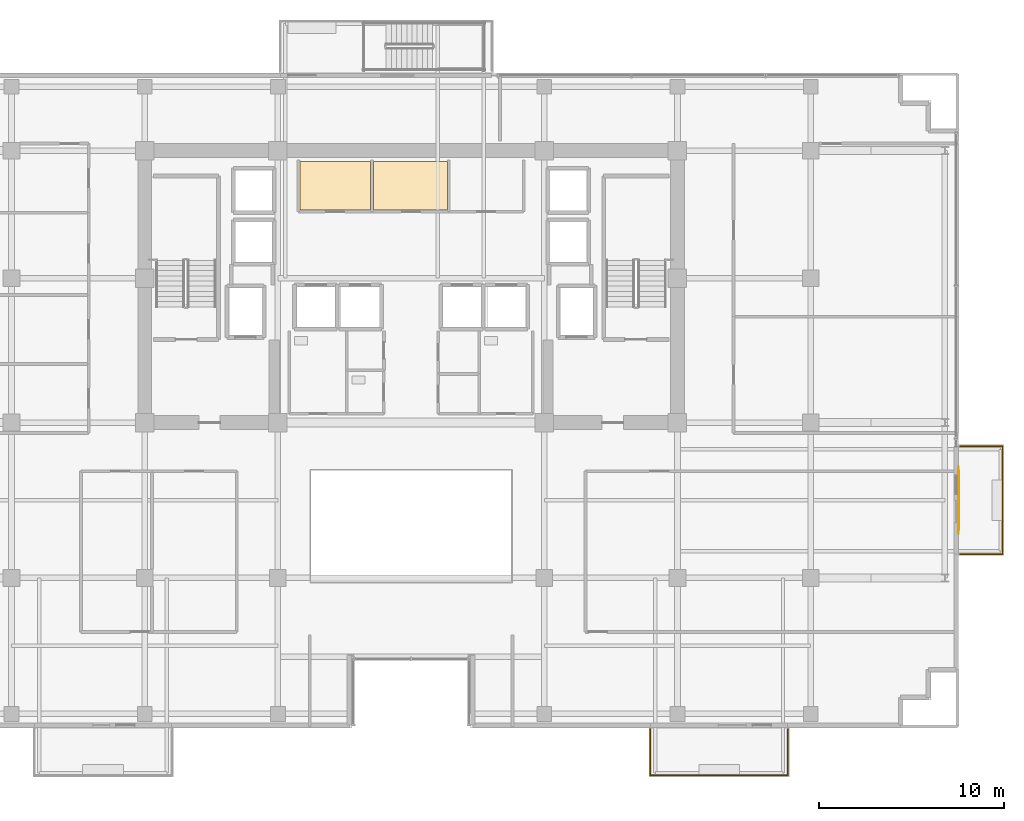
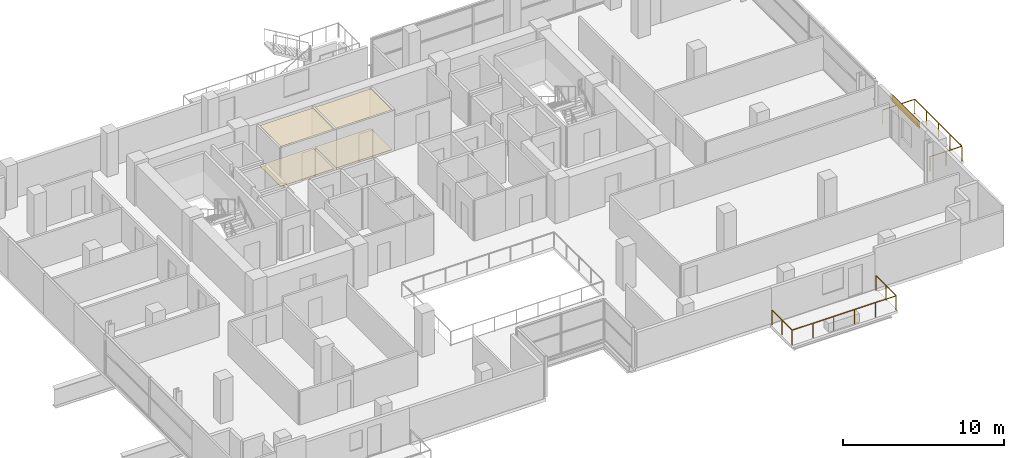
# One storey, part 24 of 27: 5 coverings, 2 railings, 1 shading device.
"""IFC4 building model written with IfcOpenShell, lengths in metres."""

from ifc_helpers import new_model, si_unit, direction, frame, origin, origin_2d, place, context, subcontext, project, spatial, polyline, rectangle, outline, extrude, source, transform, mapped, material, layer, layer_set, type_object, element, save


model = new_model("IFC4")

# Units and contexts
model_context = context("Model", 3, precision=1e-05, world=origin(), true_north=direction((0.0, 1.0)))
body_context = subcontext(model_context, "Body", "Model", "MODEL_VIEW")
ifc_project = project(units=[si_unit("LENGTHUNIT", "METRE"), si_unit("AREAUNIT", "SQUARE_METRE"), si_unit("VOLUMEUNIT", "CUBIC_METRE"), si_unit("PLANEANGLEUNIT", "RADIAN"), si_unit("MASSUNIT", "GRAM", prefix="KILO")], contexts=[model_context])

# Site, building, storey
site_placement = place(None, origin())
site = spatial("IfcSite", under=ifc_project, at=site_placement, CompositionType="ELEMENT")
building_placement = place(site_placement, origin())
building = spatial("IfcBuilding", under=site, at=building_placement, Name="Zarnakvel Exchange Tower", CompositionType="ELEMENT")
storey_placement = place(building_placement, frame((0.0, 0.0, 113.199951171875)))
storey = spatial("IfcBuildingStorey", under=building, at=storey_placement, Name="L31", CompositionType="ELEMENT", Elevation=113.199951171875)

# Coverings
ifc_material_1 = material(Name="Perforated Bronze Acoustic Metal Ceiling", Category="aluminium")
ifc_layer_1 = layer(ifc_material_1, 0.02001953125)
ifc_layer_set_1 = layer_set([ifc_layer_1], Name="Perforated Bronze Acoustic Metal Ceiling")
covering_type_1 = type_object("IfcCoveringType", Name="CLG-01", PredefinedType="CEILING", material=ifc_layer_set_1)
covering_1_placement = place(storey_placement, frame((0.0, 0.0, 3.01513671875)))
element("IfcCovering", 1, at=covering_1_placement, inside=storey, type_object=covering_type_1, Name="L31 Suspended Acoustic Ceiling (Clearing Records Office)", PredefinedType="CEILING", context=body_context, shape_type="SweptSolid", body=[
    extrude(outline(polyline([(-6.0, 12.919921875), (-2.199951171875, 12.919921875), (-2.199951171875, 10.280029296875), (-6.0, 10.280029296875), (-6.0, 12.919921875)])), origin(), (0.0, 0.0, 1.0), 0.02001953125),
])
covering_2_placement = place(storey_placement, frame((0.0, 0.0, 3.01513671875)))
element("IfcCovering", 2, at=covering_2_placement, inside=storey, type_object=covering_type_1, Name="L31 Suspended Acoustic Ceiling (Brokerage Filing Room)", PredefinedType="CEILING", context=body_context, shape_type="SweptSolid", body=[
    extrude(outline(polyline([(-2.0400390625, 12.919921875), (1.9599609375, 12.919921875), (1.9599609375, 10.280029296875), (-2.0400390625, 10.280029296875), (-2.0400390625, 12.919921875)])), origin(), (0.0, 0.0, 1.0), 0.02001953125),
])
ifc_material_2 = material(Name="Heavy-Duty Raised Access Floor Panel", Category="steel")
ifc_layer_2 = layer(ifc_material_2, 0.034912109375)
ifc_layer_set_2 = layer_set([ifc_layer_2], Name="Heavy-Duty Raised Access Floor Panel")
covering_type_2 = type_object("IfcCoveringType", Name="FLR-02", PredefinedType="FLOORING", material=ifc_layer_set_2)
covering_3_placement = place(storey_placement, origin())
element("IfcCovering", 3, at=covering_3_placement, inside=storey, type_object=covering_type_2, Name="L31 Floor Finish (Clearing Records Office)", PredefinedType="FLOORING", context=body_context, shape_type="SweptSolid", body=[
    extrude(outline(polyline([(-6.0, 12.919921875), (-2.199951171875, 12.919921875), (-2.199951171875, 10.280029296875), (-6.0, 10.280029296875), (-6.0, 12.919921875)])), origin(), (0.0, 0.0, 1.0), 0.03515625),
])
covering_4_placement = place(storey_placement, origin())
element("IfcCovering", 4, at=covering_4_placement, inside=storey, type_object=covering_type_2, Name="L31 Floor Finish (Brokerage Filing Room)", PredefinedType="FLOORING", context=body_context, shape_type="SweptSolid", body=[
    extrude(outline(polyline([(-2.0400390625, 12.919921875), (1.9599609375, 12.919921875), (1.9599609375, 10.280029296875), (-2.0400390625, 10.280029296875), (-2.0400390625, 12.919921875)])), origin(), (0.0, 0.0, 1.0), 0.03515625),
])

# Railings
ifc_material_3 = material(Name="Architectural Bronze Anodised Aluminium", Category="aluminium")
railing_type = type_object("IfcRailingType", Name="GR-02", PredefinedType="GUARDRAIL", material=ifc_material_3)
railing_1_placement = place(storey_placement, frame((12.929931640625, -17.780029296875, -0.034912109375)))
element("IfcRailing", 5, at=railing_1_placement, inside=storey, type_object=railing_type, Name="L31 Balcony Guardrail BAL-L31-SE", PredefinedType="GUARDRAIL", context=body_context, shape_type="SweptSolid", body=[
    extrude(rectangle(XDim=0.048095703125, YDim=0.048095703125, at=origin_2d()), frame((0.0, 0.0, 1.09619140625), z_axis=(0.0, -1.0, 0.0), x_axis=(1.0, 0.0, 0.0)), (0.0, 0.0, 1.0), 2.489990234375),
    extrude(rectangle(XDim=0.048095703125, YDim=0.048095703125, at=origin_2d()), frame((0.0, -2.489990234375, 1.09619140625), z_axis=(1.0, 0.0, 0.0), x_axis=(0.0, 1.0, 0.0)), (0.0, 0.0, 1.0), 7.440185546875),
    extrude(rectangle(XDim=0.048095703125, YDim=0.048095703125, at=origin_2d()), frame((7.440185546875, -2.489990234375, 1.09619140625), z_axis=(0.0, 1.0, 0.0), x_axis=(-1.0, 0.0, 0.0)), (0.0, 0.0, 1.0), 2.489990234375),
    extrude(rectangle(XDim=0.0419921875, YDim=0.0419921875, at=origin_2d()), origin(), (0.0, 0.0, 1.0), 1.072021484375),
    extrude(rectangle(XDim=0.0419921875, YDim=0.0419921875, at=origin_2d()), frame((0.0, -1.2451171875, 0.0)), (0.0, 0.0, 1.0), 1.072021484375),
    extrude(rectangle(XDim=0.0419921875, YDim=0.0419921875, at=origin_2d()), frame((0.0, -2.489990234375, 0.0)), (0.0, 0.0, 1.0), 1.072021484375),
    extrude(rectangle(XDim=0.0419921875, YDim=0.0419921875, at=origin_2d()), frame((1.488037109375, -2.489990234375, 0.0)), (0.0, 0.0, 1.0), 1.072021484375),
    extrude(rectangle(XDim=0.0419921875, YDim=0.0419921875, at=origin_2d()), frame((2.97607421875, -2.489990234375, 0.0)), (0.0, 0.0, 1.0), 1.072021484375),
    extrude(rectangle(XDim=0.0419921875, YDim=0.0419921875, at=origin_2d()), frame((4.464111328125, -2.489990234375, 0.0)), (0.0, 0.0, 1.0), 1.072021484375),
    extrude(rectangle(XDim=0.0419921875, YDim=0.0419921875, at=origin_2d()), frame((5.9521484375, -2.489990234375, 0.0)), (0.0, 0.0, 1.0), 1.072021484375),
    extrude(rectangle(XDim=0.0419921875, YDim=0.0419921875, at=origin_2d()), frame((7.440185546875, -2.489990234375, 0.0)), (0.0, 0.0, 1.0), 1.072021484375),
    extrude(rectangle(XDim=0.0419921875, YDim=0.0419921875, at=origin_2d()), frame((7.440185546875, -1.2451171875, 0.0)), (0.0, 0.0, 1.0), 1.072021484375),
    extrude(rectangle(XDim=0.0419921875, YDim=0.0419921875, at=origin_2d()), frame((7.440185546875, 0.0, 0.0)), (0.0, 0.0, 1.0), 1.072021484375),
])
railing_2_placement = place(storey_placement, frame((29.679931640625, -8.320068359375, -0.034912109375)))
element("IfcRailing", 6, at=railing_2_placement, inside=storey, type_object=railing_type, Name="L31 Balcony Guardrail BAL-L31-E", PredefinedType="GUARDRAIL", context=body_context, shape_type="SweptSolid", body=[
    extrude(rectangle(XDim=0.048095703125, YDim=0.048095703125, at=origin_2d()), frame((0.0, 0.0, 1.09619140625), z_axis=(1.0, 0.0, 0.0), x_axis=(0.0, 1.0, 0.0)), (0.0, 0.0, 1.0), 2.2900390625),
    extrude(rectangle(XDim=0.048095703125, YDim=0.048095703125, at=origin_2d()), frame((2.2900390625, 0.0, 1.09619140625), z_axis=(0.0, 1.0, 0.0), x_axis=(-1.0, 0.0, 0.0)), (0.0, 0.0, 1.0), 5.840087890625),
    extrude(rectangle(XDim=0.048095703125, YDim=0.048095703125, at=origin_2d()), frame((2.2900390625, 5.840087890625, 1.09619140625), z_axis=(-1.0, 0.0, 0.0), x_axis=(0.0, -1.0, 0.0)), (0.0, 0.0, 1.0), 2.2900390625),
    extrude(rectangle(XDim=0.0419921875, YDim=0.0419921875, at=origin_2d()), origin(), (0.0, 0.0, 1.0), 1.072021484375),
    extrude(rectangle(XDim=0.0419921875, YDim=0.0419921875, at=origin_2d()), frame((1.14501953125, 0.0, 0.0)), (0.0, 0.0, 1.0), 1.072021484375),
    extrude(rectangle(XDim=0.0419921875, YDim=0.0419921875, at=origin_2d()), frame((2.2900390625, 0.0, 0.0)), (0.0, 0.0, 1.0), 1.072021484375),
    extrude(rectangle(XDim=0.0419921875, YDim=0.0419921875, at=origin_2d()), frame((2.2900390625, 1.4599609375, 0.0)), (0.0, 0.0, 1.0), 1.072021484375),
    extrude(rectangle(XDim=0.0419921875, YDim=0.0419921875, at=origin_2d()), frame((2.2900390625, 2.919921875, 0.0)), (0.0, 0.0, 1.0), 1.072021484375),
    extrude(rectangle(XDim=0.0419921875, YDim=0.0419921875, at=origin_2d()), frame((2.2900390625, 4.380126953125, 0.0)), (0.0, 0.0, 1.0), 1.072021484375),
    extrude(rectangle(XDim=0.0419921875, YDim=0.0419921875, at=origin_2d()), frame((2.2900390625, 5.840087890625, 0.0)), (0.0, 0.0, 1.0), 1.072021484375),
    extrude(rectangle(XDim=0.0419921875, YDim=0.0419921875, at=origin_2d()), frame((1.14501953125, 5.840087890625, 0.0)), (0.0, 0.0, 1.0), 1.072021484375),
    extrude(rectangle(XDim=0.0419921875, YDim=0.0419921875, at=origin_2d()), frame((0.0, 5.840087890625, 0.0)), (0.0, 0.0, 1.0), 1.072021484375),
])

# Covering
ifc_material_4 = material(Name="Warm Sandstone Terracotta Spandrel Tile", Category="masonry")
ifc_layer_3 = layer(ifc_material_4, 0.031982421875)
ifc_layer_set_3 = layer_set([ifc_layer_3], Name="Warm Sandstone Terracotta Spandrel Tile")
covering_type_3 = type_object("IfcCoveringType", Name="CL-02", PredefinedType="CLADDING", material=ifc_layer_set_3)
shared_shape_1 = source(origin(), body_context, "Body", "SweptSolid", [
    extrude(rectangle(XDim=3.60009765625, YDim=0.031982421875, at=origin_2d()), origin(), (0.0, 0.0, 1.0), 0.4951171875),
])
covering_5_placement = place(storey_placement, frame((29.593994140625, -5.39990234375, 2.56005859375), z_axis=(0.0, 0.0, 1.0), x_axis=(0.0, -1.0, 0.0)))
element("IfcCovering", 7, at=covering_5_placement, inside=storey, type_object=covering_type_3, Name="L31 Ceramic Spandrel Tilework CL-02", PredefinedType="CLADDING", context=body_context, shape_type="MappedRepresentation", body=[
    mapped(shared_shape_1, transform((0.0, 0.0, 0.0), x_axis=(1.0, 0.0, 0.0), y_axis=(0.0, 1.0, 0.0), z_axis=(0.0, 0.0, 1.0), scale=1.0)),
])

# Shading device
ifc_material_5 = material(Name="Perforated Architectural Bronze Screen", Category="aluminium")
ifc_layer_4 = layer(ifc_material_5, 0.044921875)
ifc_layer_set_4 = layer_set([ifc_layer_4], Name="Perforated Architectural Bronze Screen")
shading_device_type = type_object("IfcShadingDeviceType", Name="SS-01", PredefinedType="JALOUSIE", material=ifc_layer_set_4)
shared_shape_2 = source(origin(), body_context, "Body", "SweptSolid", [
    extrude(rectangle(XDim=3.199951171875, YDim=0.044921875, at=origin_2d()), origin(), (0.0, 0.0, 1.0), 0.4951171875),
])
shading_device_placement = place(storey_placement, frame((29.6005859375, -5.39990234375, 2.56005859375), z_axis=(0.0, 0.0, 1.0), x_axis=(0.0, -1.0, 0.0)))
element("IfcShadingDevice", 8, at=shading_device_placement, inside=storey, type_object=shading_device_type, Name="L31 Bronze Solar Shading Screen SS-01", PredefinedType="JALOUSIE", context=body_context, shape_type="MappedRepresentation", body=[
    mapped(shared_shape_2, transform((0.0, 0.0, 0.0), x_axis=(1.0, 0.0, 0.0), y_axis=(0.0, 1.0, 0.0), z_axis=(0.0, 0.0, 1.0), scale=1.0)),
])

save(model, "model.ifc")
